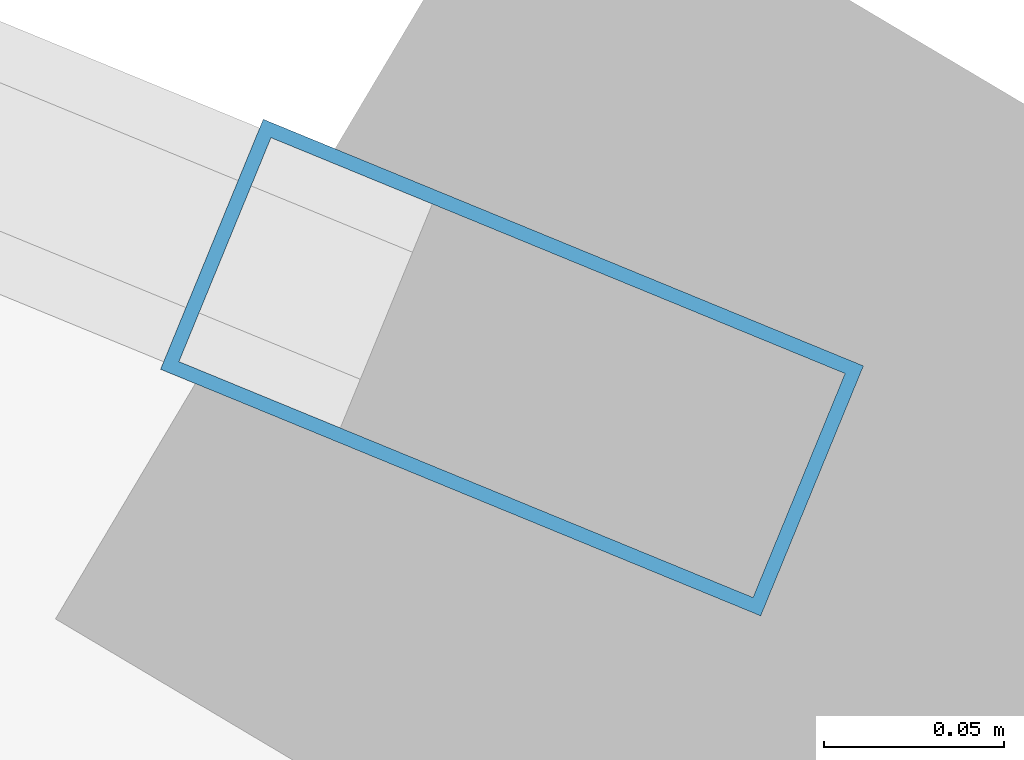
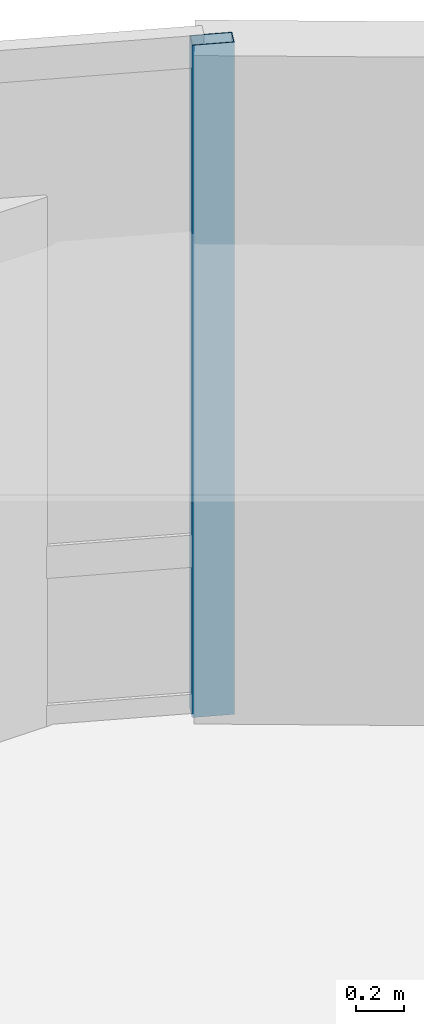
# One storey, part 12 of 17: 1 member, 1 element without a shape of its own.
"""IFC4 building model written with IfcOpenShell, lengths in metres."""

from ifc_helpers import new_model, si_unit, direction, frame, origin, origin_2d, place, context, subcontext, project, spatial, hollow_rectangle, extrude, material, layer, layer_set, material_profile, profile_set, type_object, element, aggregate, save


model = new_model("IFC4")

# Units and contexts
model_context = context("Model", 3, precision=1e-05, world=origin(), true_north=direction((0.0, 1.0)))
body_context = subcontext(model_context, "Body", "Model", "MODEL_VIEW")
ifc_project = project(units=[si_unit("LENGTHUNIT", "METRE"), si_unit("AREAUNIT", "SQUARE_METRE"), si_unit("VOLUMEUNIT", "CUBIC_METRE"), si_unit("PLANEANGLEUNIT", "RADIAN"), si_unit("MASSUNIT", "GRAM", prefix="KILO")], contexts=[model_context])

# Site, building, storey
site_placement = place(None, origin())
site = spatial("IfcSite", under=ifc_project, at=site_placement, CompositionType="ELEMENT")
building_placement = place(site_placement, origin())
building = spatial("IfcBuilding", under=site, at=building_placement, Name="Menara Vayukalpa", CompositionType="ELEMENT")
storey_placement = place(building_placement, frame((0.0, 0.0, 234.419921875)))
storey = spatial("IfcBuildingStorey", under=building, at=storey_placement, Name="L59", CompositionType="ELEMENT", Elevation=234.419921875)

# Curtain wall, member
ifc_material_1 = material(Name="Anodised Terracotta Aluminium Alloy 6063-T6", Category="masonry")
ifc_layer = layer(ifc_material_1, 0.179931640625)
ifc_layer_set = layer_set([ifc_layer], Name="Anodised Terracotta Aluminium Alloy 6063-T6")
curtain_wall_type = type_object("IfcCurtainWallType", Name="CW-CW4", PredefinedType="USERDEFINED", material=ifc_layer_set)
curtain_wall_placement = place(storey_placement, origin())
curtain_wall = element("IfcCurtainWall", 1, at=curtain_wall_placement, inside=storey, type_object=curtain_wall_type, Name="L59 Sky Bar Cantilever Glazed Curtain Wall CW4 04", ObjectType="UNITISED", PredefinedType="USERDEFINED")
ifc_material_2 = material(Name="Anodised Terracotta Aluminium Alloy 6063-T6", Category="masonry")
ifc_material_profile = material_profile(ifc_material_2, hollow_rectangle(XDim=0.074951171875, YDim=0.179931640625, WallThickness=0.00390625, at=origin_2d()), Name="ALU 75x180x4")
ifc_profile_set = profile_set([ifc_material_profile], Name="Anodised Terracotta Aluminium Alloy 6063-T6")
member_type = type_object("IfcMemberType", Name="CWM-CW4", PredefinedType="MULLION", material=ifc_profile_set)
member_placement = place(storey_placement, frame((45.625732421875, 28.717529296875, 0.0), z_axis=(0.0, 0.0, 1.0), x_axis=(-0.380039448491, -0.924970279301, 0.0)))
member = element("IfcMember", 2, at=member_placement, type_object=member_type, Name="CW4 mullion 1", PredefinedType="MULLION", context=body_context, shape_type="SweptSolid", body=[
    extrude(hollow_rectangle(XDim=0.074951171875, YDim=0.179931640625, WallThickness=0.00390625, at=origin_2d()), origin(), (0.0, 0.0, 1.0), 3.440185546875),
])
aggregate(curtain_wall, [member])

save(model, "model.ifc")
